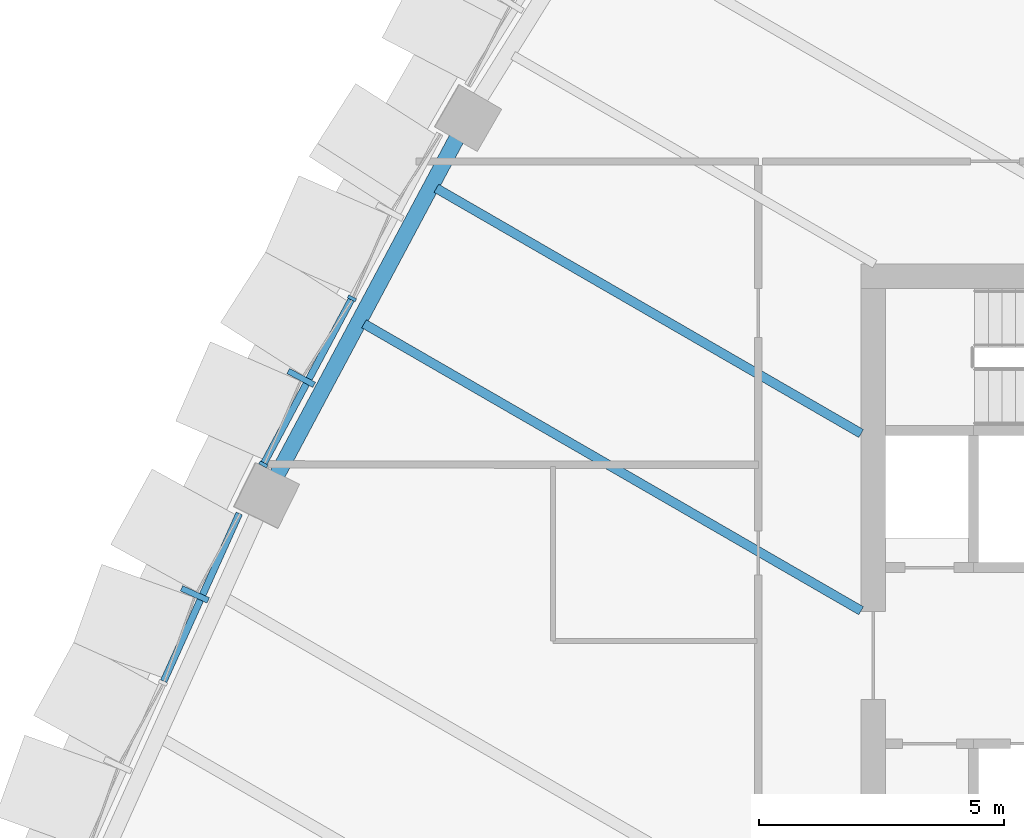
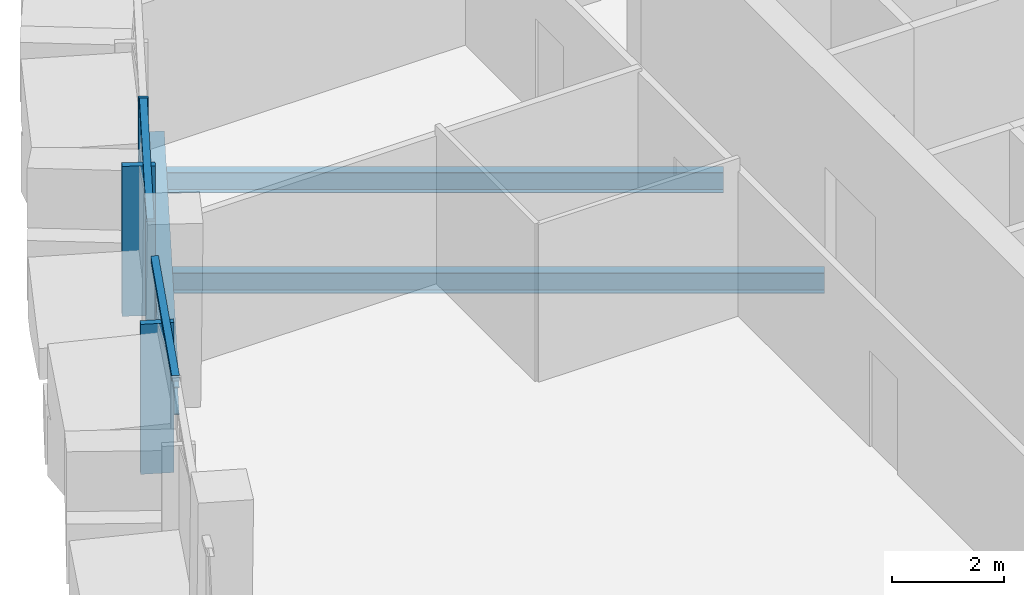
# One storey, part 3 of 20: 6 members, 3 beams, 2 elements without a shape of their own.
"""IFC4 building model written with IfcOpenShell, lengths in metres."""

from ifc_helpers import new_model, si_unit, direction, frame, origin, origin_2d, place, context, subcontext, project, spatial, rectangle, i_section, extrude, material, layer, layer_set, material_profile, profile_set, type_object, element, aggregate, save


model = new_model("IFC4")

# Units and contexts
model_context = context("Model", 3, precision=1e-05, world=origin(), true_north=direction((0.0, 1.0)))
body_context = subcontext(model_context, "Body", "Model", "MODEL_VIEW")
ifc_project = project(units=[si_unit("LENGTHUNIT", "METRE"), si_unit("AREAUNIT", "SQUARE_METRE"), si_unit("VOLUMEUNIT", "CUBIC_METRE"), si_unit("PLANEANGLEUNIT", "RADIAN"), si_unit("MASSUNIT", "GRAM", prefix="KILO")], contexts=[model_context])

# Site, building, storey
site_placement = place(None, origin())
site = spatial("IfcSite", under=ifc_project, at=site_placement, CompositionType="ELEMENT")
building_placement = place(site_placement, origin())
building = spatial("IfcBuilding", under=site, at=building_placement, Name="Sierra Prisma Convention Tower", CompositionType="ELEMENT")
storey_placement = place(building_placement, frame((0.0, 0.0, 125.800048828125)))
storey = spatial("IfcBuildingStorey", under=building, at=storey_placement, Name="L26", CompositionType="ELEMENT", Elevation=125.800048828125)

# Curtain wall, member
ifc_material_1 = material(Name="Aluminium and glass curtain wall", Category="aluminium")
ifc_layer = layer(ifc_material_1, 0.179931640625)
ifc_layer_set = layer_set([ifc_layer], Name="CW-2 Faceted crystal curtain wall")
curtain_wall_type = type_object("IfcCurtainWallType", Name="CW-2 Faceted crystal curtain wall", PredefinedType="NOTDEFINED", material=ifc_layer_set)
curtain_wall_1_placement = place(storey_placement, origin())
curtain_wall_1 = element("IfcCurtainWall", 1, at=curtain_wall_1_placement, inside=storey, type_object=curtain_wall_type, Name="CW-2 NW4 L26", PredefinedType="NOTDEFINED")
ifc_material_2 = material(Name="Aluminium 6063-T6 bronze anodised", Category="aluminium")
ifc_material_profile_1 = material_profile(ifc_material_2, rectangle(XDim=0.1201171875, YDim=0.60009765625, at=origin_2d()), Name="ALU RIDGE BLADE 120x600")
ifc_profile_set_1 = profile_set([ifc_material_profile_1], Name="Aluminium 6063-T6 bronze anodised")
member_type_1 = type_object("IfcMemberType", Name="CW hip bronze", PredefinedType="MULLION", material=ifc_profile_set_1)
member_1_placement = place(storey_placement, frame((-22.442626953125, 5.67529296875, 0.0), z_axis=(0.0, 0.0, 1.0), x_axis=(-0.470776058301, -0.882252743227, 0.0)))
member_1 = element("IfcMember", 2, at=member_1_placement, type_object=member_type_1, Name="CW-2 ridge NW4.2", PredefinedType="MULLION", context=body_context, shape_type="SweptSolid", body=[
    extrude(rectangle(XDim=0.1201171875, YDim=0.60009765625, at=origin_2d()), origin(), (0.0, 0.0, 1.0), 3.280029296875),
])

curtain_wall_2_placement = place(storey_placement, origin())
curtain_wall_2 = element("IfcCurtainWall", 3, at=curtain_wall_2_placement, inside=storey, type_object=curtain_wall_type, Name="CW-2 NW5 L26", PredefinedType="NOTDEFINED")
member_2_placement = place(storey_placement, frame((-24.6162109375, 1.252197265625, 0.0), z_axis=(0.0, 0.0, 1.0), x_axis=(-0.410783329989, -0.911732995895, 0.0)))
member_2 = element("IfcMember", 4, at=member_2_placement, type_object=member_type_1, Name="CW-2 ridge NW5.1", PredefinedType="MULLION", context=body_context, shape_type="SweptSolid", body=[
    extrude(rectangle(XDim=0.1201171875, YDim=0.60009765625, at=origin_2d()), origin(), (0.0, 0.0, 1.0), 3.280029296875),
])

# Member
ifc_material_3 = material(Name="Aluminium 6063-T6 bronze anodised", Category="aluminium")
ifc_material_profile_2 = material_profile(ifc_material_3, rectangle(XDim=0.179931640625, YDim=0.070068359375, at=origin_2d()), Name="ALU MULLION 70x180")
ifc_profile_set_2 = profile_set([ifc_material_profile_2], Name="Aluminium 6063-T6 bronze anodised")
member_type_2 = type_object("IfcMemberType", Name="CW mullion bronze", PredefinedType="MULLION", material=ifc_profile_set_2)
member_3_placement = place(storey_placement, frame((-21.406005859375, 7.30224609375, 0.0), z_axis=(0.0, 0.0, 1.0), x_axis=(0.882252743227, -0.470776058301, 0.0)))
member_3 = element("IfcMember", 5, at=member_3_placement, type_object=member_type_2, Name="CW-1 mullion NW4.2", PredefinedType="MULLION", context=body_context, shape_type="SweptSolid", body=[
    extrude(rectangle(XDim=0.179931640625, YDim=0.070068359375, at=origin_2d()), origin(), (0.0, 0.0, 1.0), 3.39990234375),
])

member_4_placement = place(storey_placement, frame((-23.216796875, 3.90869140625, 0.0), z_axis=(0.0, 0.0, 1.0), x_axis=(0.882252743227, -0.470776058301, 0.0)))
member_4 = element("IfcMember", 6, at=member_4_placement, type_object=member_type_2, Name="CW-1 mullion NW4.3", PredefinedType="MULLION", context=body_context, shape_type="SweptSolid", body=[
    extrude(rectangle(XDim=0.179931640625, YDim=0.070068359375, at=origin_2d()), origin(), (0.0, 0.0, 1.0), 3.39990234375),
])

ifc_material_4 = material(Name="Aluminium 6063-T6 bronze anodised", Category="aluminium")
ifc_material_profile_3 = material_profile(ifc_material_4, rectangle(XDim=0.139892578125, YDim=0.1201171875, at=origin_2d()), Name="ALU TRANSOM 120x140")
ifc_profile_set_3 = profile_set([ifc_material_profile_3], Name="Aluminium 6063-T6 bronze anodised")
member_type_3 = type_object("IfcMemberType", Name="CW transom bronze", PredefinedType="USERDEFINED", material=ifc_profile_set_3)
member_5_placement = place(storey_placement, frame((-21.422607421875, 7.271240234375, 3.33984375), z_axis=(-0.470769419761, -0.882256285564, 0.0), x_axis=(0.882256285564, -0.470769419761, 0.0)))
member_5 = element("IfcMember", 7, at=member_5_placement, type_object=member_type_3, Name="CW-1 transom NW4.2", ObjectType="TRANSOM", PredefinedType="USERDEFINED", context=body_context, shape_type="SweptSolid", body=[
    extrude(rectangle(XDim=0.139892578125, YDim=0.1201171875, at=origin_2d()), origin(), (0.0, 0.0, 1.0), 3.7763671875),
])

aggregate(curtain_wall_1, [member_3, member_4, member_5, member_1])

member_6_placement = place(storey_placement, frame((-23.708740234375, 2.90576171875, 3.33984375), z_axis=(-0.410831635937, -0.911711230003, 0.0), x_axis=(0.911711230003, -0.410831635937, 0.0)))
member_6 = element("IfcMember", 8, at=member_6_placement, type_object=member_type_3, Name="CW-1 transom NW5.1", ObjectType="TRANSOM", PredefinedType="USERDEFINED", context=body_context, shape_type="SweptSolid", body=[
    extrude(rectangle(XDim=0.139892578125, YDim=0.1201171875, at=origin_2d()), origin(), (0.0, 0.0, 1.0), 3.760498046875),
])

aggregate(curtain_wall_2, [member_6, member_2])

# Beams
ifc_material_5 = material(Name="Steel ASTM A992 Gr 50", Category="steel")
ifc_material_profile_4 = material_profile(ifc_material_5, i_section(OverallWidth=0.18994140625, OverallDepth=0.45703125, WebThickness=0.009033203125, FlangeThickness=0.014404296875, at=origin_2d()), Name="W460x74")
ifc_profile_set_4 = profile_set([ifc_material_profile_4], Name="Steel ASTM A992 Gr 50")
beam_type_1 = type_object("IfcBeamType", Name="Floor joist W460x74", PredefinedType="JOIST", material=ifc_profile_set_4)
beam_1_placement = place(storey_placement, frame((-19.681640625, 9.552001953125, -0.378662109375), z_axis=(0.866031473494, -0.499989486807, 0.0), x_axis=(0.499989486807, 0.866031473494, 0.0)))
element("IfcBeam", 9, at=beam_1_placement, inside=storey, type_object=beam_type_1, Name="Floor joist L26 NW09", PredefinedType="JOIST", context=body_context, shape_type="SweptSolid", body=[
    extrude(i_section(OverallWidth=0.18994140625, OverallDepth=0.45703125, WebThickness=0.009033203125, FlangeThickness=0.014404296875, at=origin_2d()), origin(), (0.0, 0.0, 1.0), 10.024658203125),
])
beam_2_placement = place(storey_placement, frame((-21.1591796875, 6.782958984375, -0.378662109375), z_axis=(0.86602269484, -0.500004692, 0.0), x_axis=(0.500004692, 0.86602269484, 0.0)))
element("IfcBeam", 10, at=beam_2_placement, inside=storey, type_object=beam_type_1, Name="Floor joist L26 NW10", PredefinedType="JOIST", context=body_context, shape_type="SweptSolid", body=[
    extrude(i_section(OverallWidth=0.18994140625, OverallDepth=0.45703125, WebThickness=0.009033203125, FlangeThickness=0.014404296875, at=origin_2d()), origin(), (0.0, 0.0, 1.0), 11.73095703125),
])
ifc_material_6 = material(Name="Steel ASTM A992 Gr 50", Category="steel")
ifc_material_profile_5 = material_profile(ifc_material_6, i_section(OverallWidth=0.324951171875, OverallDepth=0.615966796875, WebThickness=0.013916015625, FlangeThickness=0.021484375, at=origin_2d()), Name="W610x174")
ifc_profile_set_5 = profile_set([ifc_material_profile_5], Name="Steel ASTM A992 Gr 50")
beam_type_2 = type_object("IfcBeamType", Name="Spandrel beam W610x174", PredefinedType="BEAM", material=ifc_profile_set_5)
beam_3_placement = place(storey_placement, frame((-19.21923828125, 10.657470703125, -0.4580078125), z_axis=(-0.470786420176, -0.882247213982, 0.0), x_axis=(0.882247213982, -0.470786420176, 0.0)))
element("IfcBeam", 11, at=beam_3_placement, inside=storey, type_object=beam_type_2, Name="Spandrel L26-16", PredefinedType="BEAM", context=body_context, shape_type="SweptSolid", body=[
    extrude(i_section(OverallWidth=0.324951171875, OverallDepth=0.615966796875, WebThickness=0.013916015625, FlangeThickness=0.021484375, at=origin_2d()), origin(), (0.0, 0.0, 1.0), 7.991943359375),
])

save(model, "model.ifc")
